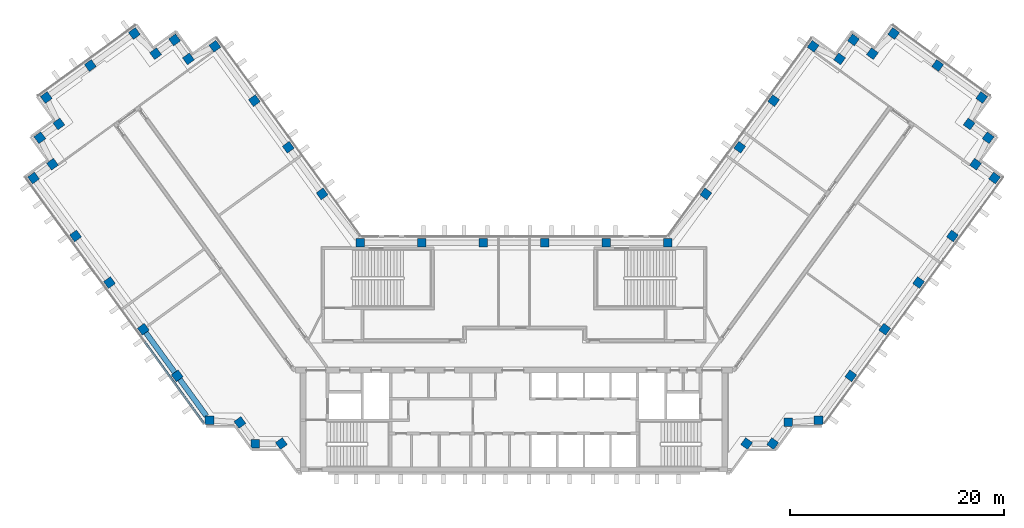
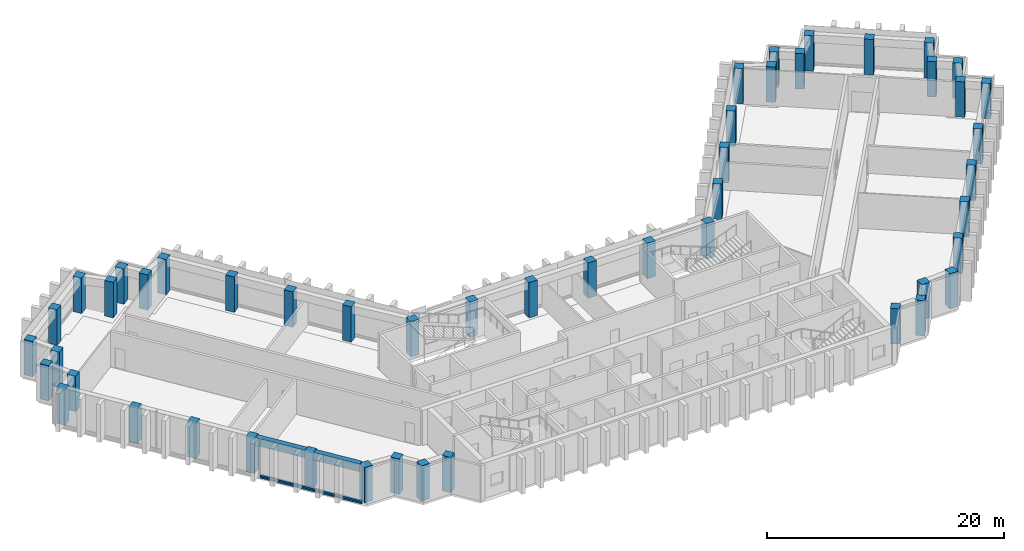
"""IFC4 building model written with IfcOpenShell, lengths in metres."""

from ifc_helpers import new_model, si_unit, direction, frame, origin, origin_2d, place, context, subcontext, project, spatial, rectangle, extrude, material, material_profile, profile_set, type_object, element, aggregate, save


model = new_model("IFC4")

# Units and contexts
model_context = context("Model", 3, precision=1e-05, world=origin(), true_north=direction((0.0, 1.0)))
body_context = subcontext(model_context, "Body", "Model", "MODEL_VIEW")
ifc_project = project(units=[si_unit("LENGTHUNIT", "METRE"), si_unit("AREAUNIT", "SQUARE_METRE"), si_unit("VOLUMEUNIT", "CUBIC_METRE"), si_unit("PLANEANGLEUNIT", "RADIAN"), si_unit("MASSUNIT", "GRAM", prefix="KILO")], contexts=[model_context])

# Site, building, storey
site_placement = place(None, origin())
site = spatial("IfcSite", under=ifc_project, at=site_placement, CompositionType="ELEMENT")
building_placement = place(site_placement, origin())
building = spatial("IfcBuilding", under=site, at=building_placement, Name="Quipu Civic Tower", CompositionType="ELEMENT")
storey_1_placement = place(building_placement, frame((0.0, 0.0, 144.0)))
storey_1 = spatial("IfcBuildingStorey", under=building, at=storey_1_placement, Name="L33", CompositionType="ELEMENT", Elevation=144.0)

# Columns
ifc_material_1 = material(Name="Concrete C60/75", Category="concrete")
ifc_material_profile_1 = material_profile(ifc_material_1, rectangle(XDim=0.800048828125, YDim=0.800048828125, at=origin_2d()), Name="RC800x800")
ifc_profile_set_1 = profile_set([ifc_material_profile_1], Name="Concrete C60/75")
column_type = type_object("IfcColumnType", Name="Perimeter column RC 800x800 C60/75", PredefinedType="COLUMN", material=ifc_profile_set_1)
for number, where, z_axis, x_axis, name in (
    (1, (-17.9736328125, 15.074951171875, 0.0), (0.0, 0.0, 1.0), (-0.587785252292, 0.809016994375, 0.0), "Column L33 W-IN-01"),
    (2, (-21.1474609375, 19.44384765625, 0.0), (0.0, 0.0, 1.0), (-0.587785252292, 0.809016994375, 0.0), "Column L33 W-IN-02"),
    (3, (-24.3212890625, 23.8125, 0.0), (0.0, 0.0, 1.0), (-0.587785252292, 0.809016994375, 0.0), "Column L33 W-IN-03"),
    (4, (-28.02001953125, 28.905029296875, 0.0), (0.0, 0.0, 1.0), (-0.809016994375, -0.587785252292, 0.0), "Column L33 T-Wi.0-W34"),
    (5, (-30.498779296875, 27.72265625, 0.0), (0.0, 0.0, 1.0), (-0.809016994375, -0.587785252292, 0.0), "Column L33 T-Wi.1-W34"),
    (6, (-31.794921875, 29.5, 0.0), (0.0, 0.0, 1.0), (-0.587785252292, 0.809016994375, 0.0), "Column L33 T-Wi.2-W34"),
    (7, (-33.573974609375, 28.20947265625, 0.0), (0.0, 0.0, 1.0), (-0.587785252292, 0.809016994375, 0.0), "Column L33 T-Wi.3-W34"),
    (8, (-35.56494140625, 30.10009765625, 0.0), (0.0, 0.0, 1.0), (-0.809016994375, -0.587785252292, 0.0), "Column L33 T-Wi.4-W34"),
    (9, (-39.690673828125, 27.10205078125, 0.0), (0.0, 0.0, 1.0), (-0.809016994375, -0.587785252292, 0.0), "Column L33 TIP-W-01-W34"),
    (10, (-43.81494140625, 24.10498046875, 0.0), (0.0, 0.0, 1.0), (-0.809016994375, -0.587785252292, 0.0), "Column L33 T-Wo.0-W34"),
    (11, (-42.635009765625, 21.626220703125, 0.0), (0.0, 0.0, 1.0), (-0.809016994375, -0.587785252292, 0.0), "Column L33 T-Wo.1-W34"),
    (12, (-44.4150390625, 20.3349609375, 0.0), (0.0, 0.0, 1.0), (0.587785252292, -0.809016994375, 0.0), "Column L33 T-Wo.2-W34"),
    (13, (-43.23095703125, 17.8544921875, 0.0), (0.0, 0.0, 1.0), (0.587785252292, -0.809016994375, 0.0), "Column L33 T-Wo.3-W34"),
    (14, (-45.010009765625, 16.56005859375, 0.0), (0.0, 0.0, 1.0), (0.587785252292, -0.809016994375, 0.0), "Column L33 T-Wo.4-W34"),
    (15, (-41.0703125, 11.137451171875, 0.0), (0.0, 0.0, 1.0), (0.587785252292, -0.809016994375, 0.0), "Column L33 W-OUT-04"),
    (16, (-37.896240234375, 6.768798828125, 0.0), (0.0, 0.0, 1.0), (0.587785252292, -0.809016994375, 0.0), "Column L33 W-OUT-03"),
    (17, (-34.722412109375, 2.39990234375, 0.0), (0.0, 0.0, 1.0), (0.587785252292, -0.809016994375, 0.0), "Column L33 W-OUT-02"),
    (18, (-31.54833984375, -1.96875, 0.0), (0.0, 0.0, 1.0), (0.587785252292, -0.809016994375, 0.0), "Column L33 W-OUT-01"),
    (19, (-28.52490234375, -6.1298828125, 0.0), (0.0, 0.0, 1.0), (1.0, 0.0, 0.0), "Column L33 J-Wo.0"),
    (20, (-25.67431640625, -6.3369140625, 0.0), (0.0, 0.0, 1.0), (0.587785252292, -0.809016994375, 0.0), "Column L33 J-Wo.1"),
    (21, (-24.235107421875, -8.31494140625, 0.0), (0.0, 0.0, 1.0), (1.0, 0.0, 0.0), "Column L33 J-Wo.2"),
    (22, (-21.791748046875, -8.31494140625, 0.0), (0.0, 0.0, 1.0), (0.587785252292, -0.809016994375, 0.0), "Column L33 J-Wo.3"),
    (23, (21.791748046875, -8.31494140625, 0.0), (0.0, 0.0, 1.0), (0.587785252292, 0.809016994375, 0.0), "Column L33 J-Eo.1"),
    (24, (24.235107421875, -8.31494140625, 0.0), (0.0, 0.0, 1.0), (0.587785252292, 0.809016994375, 0.0), "Column L33 J-Eo.2"),
    (25, (25.67431640625, -6.3369140625, 0.0), (0.0, 0.0, 1.0), (1.0, 0.0, 0.0), "Column L33 J-Eo.3"),
    (26, (28.52490234375, -6.1298828125, 0.0), (0.0, 0.0, 1.0), (1.0, 0.0, 0.0), "Column L33 J-Eo.4"),
    (27, (31.54833984375, -1.96875, 0.0), (0.0, 0.0, 1.0), (0.587785252292, 0.809016994375, 0.0), "Column L33 E-OUT-01"),
    (28, (34.722412109375, 2.39990234375, 0.0), (0.0, 0.0, 1.0), (0.587785252292, 0.809016994375, 0.0), "Column L33 E-OUT-02"),
    (29, (37.896240234375, 6.768798828125, 0.0), (0.0, 0.0, 1.0), (0.587785252292, 0.809016994375, 0.0), "Column L33 E-OUT-03"),
    (30, (41.0703125, 11.137451171875, 0.0), (0.0, 0.0, 1.0), (0.587785252292, 0.809016994375, 0.0), "Column L33 E-OUT-04"),
    (31, (45.010009765625, 16.56005859375, 0.0), (0.0, 0.0, 1.0), (0.587785252292, 0.809016994375, 0.0), "Column L33 T-Eo.0-E34"),
    (32, (43.23095703125, 17.8544921875, 0.0), (0.0, 0.0, 1.0), (0.587785252292, 0.809016994375, 0.0), "Column L33 T-Eo.1-E34"),
    (33, (44.4150390625, 20.3349609375, 0.0), (0.0, 0.0, 1.0), (0.587785252292, 0.809016994375, 0.0), "Column L33 T-Eo.2-E34"),
    (34, (42.635009765625, 21.626220703125, 0.0), (0.0, 0.0, 1.0), (-0.809016994375, 0.587785252292, 0.0), "Column L33 T-Eo.3-E34"),
    (35, (43.81494140625, 24.10498046875, 0.0), (0.0, 0.0, 1.0), (-0.809016994375, 0.587785252292, 0.0), "Column L33 T-Eo.4-E34"),
    (36, (39.690673828125, 27.10205078125, 0.0), (0.0, 0.0, 1.0), (-0.809016994375, 0.587785252292, 0.0), "Column L33 TIP-E-01-E34"),
    (37, (35.56494140625, 30.10009765625, 0.0), (0.0, 0.0, 1.0), (-0.587785252292, -0.809016994375, 0.0), "Column L33 T-Ei.0-E34"),
    (38, (33.573974609375, 28.20947265625, 0.0), (0.0, 0.0, 1.0), (-0.809016994375, 0.587785252292, 0.0), "Column L33 T-Ei.1-E34"),
    (39, (31.794921875, 29.5, 0.0), (0.0, 0.0, 1.0), (-0.587785252292, -0.809016994375, 0.0), "Column L33 T-Ei.2-E34"),
    (40, (30.498779296875, 27.72265625, 0.0), (0.0, 0.0, 1.0), (-0.809016994375, 0.587785252292, 0.0), "Column L33 T-Ei.3-E34"),
    (41, (28.02001953125, 28.905029296875, 0.0), (0.0, 0.0, 1.0), (-0.809016994375, 0.587785252292, 0.0), "Column L33 T-Ei.4-E34"),
    (42, (24.3212890625, 23.8125, 0.0), (0.0, 0.0, 1.0), (-0.587785252292, -0.809016994375, 0.0), "Column L33 E-IN-03"),
    (43, (21.1474609375, 19.44384765625, 0.0), (0.0, 0.0, 1.0), (-0.587785252292, -0.809016994375, 0.0), "Column L33 E-IN-02"),
    (44, (17.9736328125, 15.074951171875, 0.0), (0.0, 0.0, 1.0), (-0.587785252292, -0.809016994375, 0.0), "Column L33 E-IN-01"),
    (45, (14.395263671875, 10.5, 0.0), (0.0, 0.0, 1.0), (-1.0, 0.0, 0.0), "Column L33 J-Ei.0"),
    (46, (8.63720703125, 10.5, 0.0), (0.0, 0.0, 1.0), (-1.0, 0.0, 0.0), "Column L33 FRONT-01"),
    (47, (2.87890625, 10.5, 0.0), (0.0, 0.0, 1.0), (-1.0, 0.0, 0.0), "Column L33 FRONT-02"),
    (48, (-2.87890625, 10.5, 0.0), (0.0, 0.0, 1.0), (-1.0, 0.0, 0.0), "Column L33 FRONT-03"),
    (49, (-8.63720703125, 10.5, 0.0), (0.0, 0.0, 1.0), (-1.0, 0.0, 0.0), "Column L33 FRONT-04"),
    (50, (-14.395263671875, 10.5, 0.0), (0.0, 0.0, 1.0), (-1.0, 0.0, 0.0), "Column L33 J-Wi.0"),
):
    element("IfcColumn", number, at=place(storey_1_placement, frame(where, z_axis=z_axis, x_axis=x_axis)), inside=storey_1, type_object=column_type, Name=name, PredefinedType="COLUMN", context=body_context, shape_type="SweptSolid", body=[
        extrude(rectangle(XDim=0.800048828125, YDim=0.800048828125, at=origin_2d()), origin(), (0.0, 0.0, 1.0), 3.64990234375),
    ])

# Beams
ifc_material_2 = material(Name="Concrete C50/60", Category="concrete")
ifc_material_profile_2 = material_profile(ifc_material_2, rectangle(XDim=0.5, YDim=0.800048828125, at=origin_2d()), Name="RC500x800")
ifc_profile_set_2 = profile_set([ifc_material_profile_2], Name="Concrete C50/60")
beam_type = type_object("IfcBeamType", Name="Spandrel beam RC 500x800 C50/60", PredefinedType="SPANDREL", material=ifc_profile_set_2)
beam_1_placement = place(storey_1_placement, frame((-34.4873046875, 2.076416015625, 3.25), z_axis=(0.587796098864, -0.809009113768, 0.0), x_axis=(0.809009113768, 0.587796098864, 0.0)))
element("IfcBeam", 51, at=beam_1_placement, inside=storey_1, type_object=beam_type, Name="Spandrel beam L33 W-OUT-02 to W-OUT-01", PredefinedType="SPANDREL", context=body_context, shape_type="SweptSolid", body=[
    extrude(rectangle(XDim=0.5, YDim=0.800048828125, at=origin_2d()), origin(), (0.0, 0.0, 1.0), 4.60009765625),
])
beam_2_placement = place(storey_1_placement, frame((-31.313232421875, -2.292236328125, 3.25), z_axis=(0.58776850526, -0.809029161541, 0.0), x_axis=(0.809029161541, 0.58776850526, 0.0)))
element("IfcBeam", 52, at=beam_2_placement, inside=storey_1, type_object=beam_type, Name="Spandrel beam L33 W-OUT-01 to J-Wo.0", PredefinedType="SPANDREL", context=body_context, shape_type="SweptSolid", body=[
    extrude(rectangle(XDim=0.5, YDim=0.800048828125, at=origin_2d()), origin(), (0.0, 0.0, 1.0), 4.249267578125),
])

# Curtain wall, member
ifc_material_3 = material(Name="Insulated glass unit", Category="glass")
curtain_wall_type_1 = type_object("IfcCurtainWallType", Name="Office curtain wall CW1", PredefinedType="NOTDEFINED", material=ifc_material_3)
curtain_wall_1_placement = place(storey_1_placement, origin())
curtain_wall_1 = element("IfcCurtainWall", 53, at=curtain_wall_1_placement, inside=storey_1, type_object=curtain_wall_type_1, Name="Office curtain wall CW1 L33 run 4", PredefinedType="NOTDEFINED")
ifc_material_4 = material(Name="Anodised aluminium", Category="aluminium")
ifc_material_profile_3 = material_profile(ifc_material_4, rectangle(XDim=0.199951171875, YDim=0.159912109375, at=origin_2d()), Name="RECT 200x160")
ifc_profile_set_3 = profile_set([ifc_material_profile_3], Name="Anodised aluminium")
member_type_1 = type_object("IfcMemberType", Name="Transom CW1", PredefinedType="USERDEFINED", material=ifc_profile_set_3)
member_1_placement = place(storey_1_placement, frame((-34.596923828125, 1.20654296875, 0.159912109375), z_axis=(0.587783783239, -0.809018061703, 0.0), x_axis=(0.809018061703, 0.587783783239, 0.0)))
member_1 = element("IfcMember", 54, at=member_1_placement, type_object=member_type_1, Name="CW1 transom 3.1", ObjectType="TRANSOM", PredefinedType="USERDEFINED", context=body_context, shape_type="SweptSolid", body=[
    extrude(rectangle(XDim=0.199951171875, YDim=0.159912109375, at=origin_2d()), origin(), (0.0, 0.0, 1.0), 9.431884765625),
])
aggregate(curtain_wall_1, [member_1])

# Storey
storey_2_placement = place(building_placement, frame((0.0, 0.0, 139.0)))
storey_2 = spatial("IfcBuildingStorey", under=building, at=storey_2_placement, Name="L32", CompositionType="ELEMENT", Elevation=139.0)

# Curtain wall, member
ifc_material_5 = material(Name="Insulated glass unit", Category="glass")
curtain_wall_type_2 = type_object("IfcCurtainWallType", Name="Sky lobby and refuge curtain wall CW5", PredefinedType="NOTDEFINED", material=ifc_material_5)
curtain_wall_2_placement = place(storey_2_placement, origin())
curtain_wall_2 = element("IfcCurtainWall", 55, at=curtain_wall_2_placement, inside=storey_2, type_object=curtain_wall_type_2, Name="Sky lobby and refuge curtain wall CW5 L32 run 11", PredefinedType="NOTDEFINED")
ifc_material_6 = material(Name="Anodised aluminium", Category="aluminium")
ifc_material_profile_4 = material_profile(ifc_material_6, rectangle(XDim=0.199951171875, YDim=0.14990234375, at=origin_2d()), Name="RECT 200x150")
ifc_profile_set_4 = profile_set([ifc_material_profile_4], Name="Anodised aluminium")
member_type_2 = type_object("IfcMemberType", Name="Transom CW5", PredefinedType="USERDEFINED", material=ifc_profile_set_4)
member_2_placement = place(storey_1_placement, frame((-34.588134765625, 1.1943359375, 0.0), z_axis=(0.587788114206, -0.809014915066, 0.0), x_axis=(0.809014915066, 0.587788114206, 0.0)))
member_2 = element("IfcMember", 56, at=member_2_placement, inside=storey_1, type_object=member_type_2, Name="CW5 transom 3.3", ObjectType="TRANSOM", PredefinedType="USERDEFINED", context=body_context, shape_type="SweptSolid", body=[
    extrude(rectangle(XDim=0.199951171875, YDim=0.14990234375, at=origin_2d()), origin(), (0.0, 0.0, 1.0), 9.386962890625),
])
aggregate(curtain_wall_2, [member_2])

save(model, "model.ifc")
